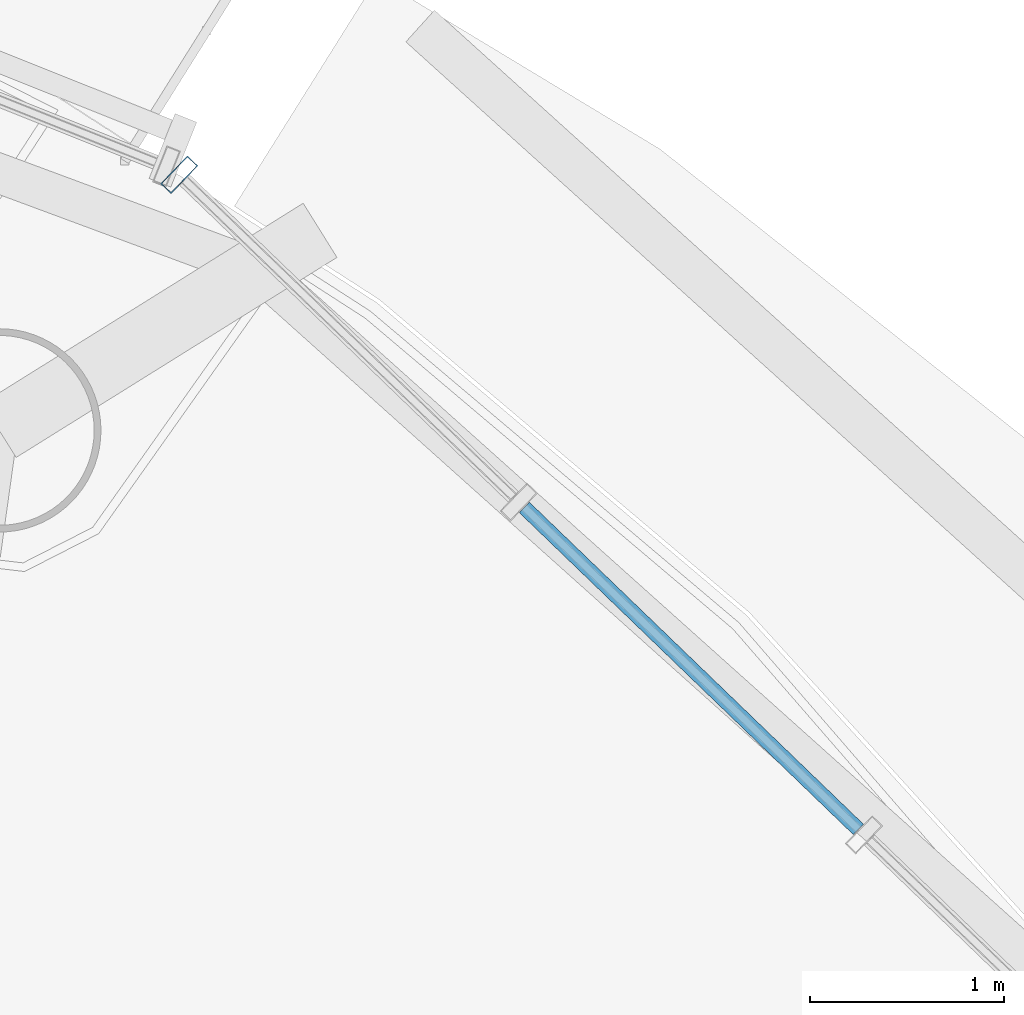
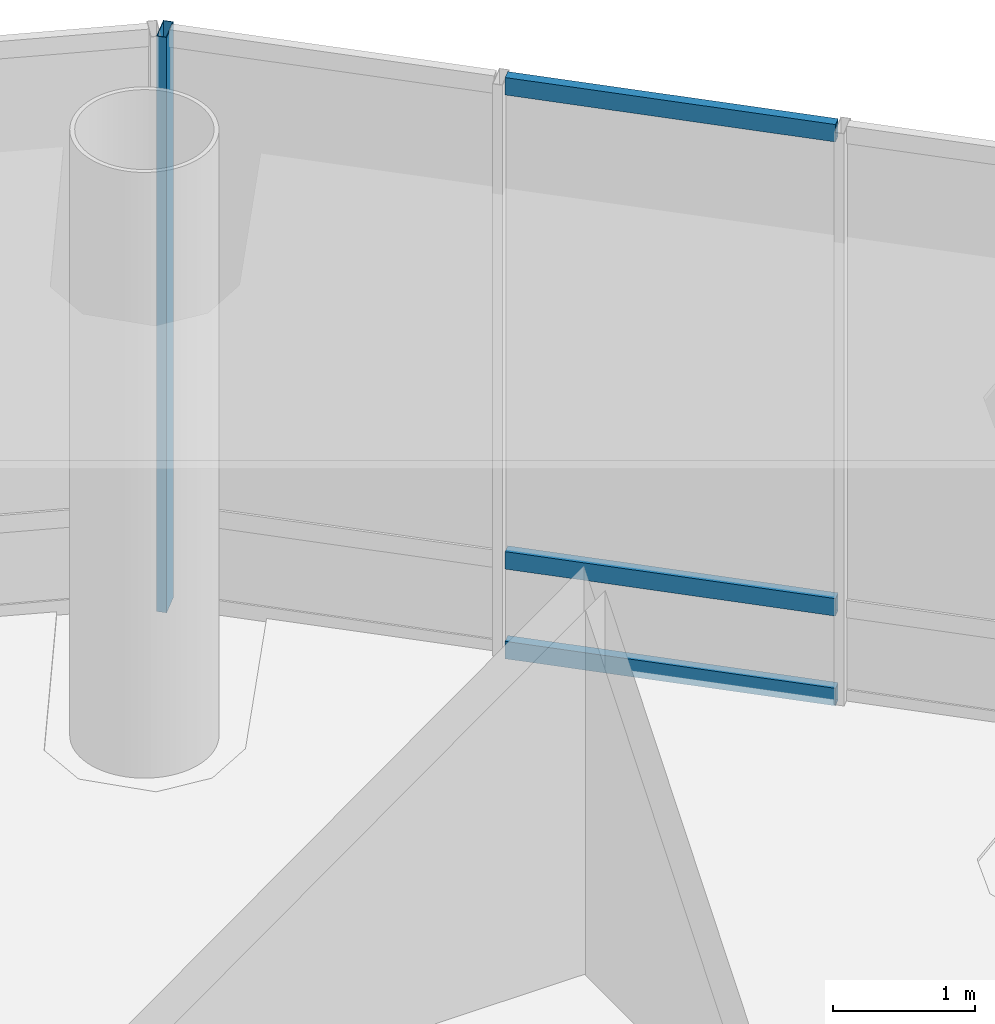
# One storey, part 13 of 22: 4 members, 1 element without a shape of its own.
"""IFC4 building model written with IfcOpenShell, lengths in metres."""

from ifc_helpers import new_model, si_unit, direction, frame, origin, origin_2d, place, context, subcontext, project, spatial, hollow_rectangle, extrude, source, transform, mapped, material, material_profile, profile_set, type_object, element, aggregate, save


model = new_model("IFC4")

# Units and contexts
model_context = context("Model", 3, precision=1e-05, world=origin(), true_north=direction((-0.2419218956, 0.970295726276)))
body_context = subcontext(model_context, "Body", "Model", "MODEL_VIEW")
ifc_project = project(units=[si_unit("LENGTHUNIT", "METRE"), si_unit("AREAUNIT", "SQUARE_METRE"), si_unit("VOLUMEUNIT", "CUBIC_METRE"), si_unit("PLANEANGLEUNIT", "RADIAN"), si_unit("MASSUNIT", "GRAM", prefix="KILO")], contexts=[model_context])

# Site, building, storey
site_placement = place(None, origin())
site = spatial("IfcSite", under=ifc_project, at=site_placement, CompositionType="ELEMENT")
building_placement = place(site_placement, origin())
building = spatial("IfcBuilding", under=site, at=building_placement, Name="Cobrevalo Terracotta Tower", CompositionType="ELEMENT")
storey_placement = place(building_placement, frame((0.0, 0.0, 243.0)))
storey = spatial("IfcBuildingStorey", under=building, at=storey_placement, Name="L64", CompositionType="ELEMENT", Elevation=243.0)

# Curtain wall, members
ifc_material = material(Name="Anodized aluminium", Category="aluminium")
curtain_wall_type = type_object("IfcCurtainWallType", Name="Double-height sky-lobby panoramic curtain wall CW-SK", PredefinedType="NOTDEFINED", material=ifc_material)
curtain_wall_placement = place(storey_placement, origin())
curtain_wall = element("IfcCurtainWall", 1, at=curtain_wall_placement, inside=storey, type_object=curtain_wall_type, Name="L64 curtain wall CW-SK-L64-S02", PredefinedType="NOTDEFINED")
ifc_material_profile_1 = material_profile(ifc_material, hollow_rectangle(XDim=0.074951171875, YDim=0.199951171875, WallThickness=0.0048828125, at=origin_2d()), Name="CWM 75x200")
ifc_profile_set_1 = profile_set([ifc_material_profile_1], Name="Anodized aluminium")
member_type_1 = type_object("IfcMemberType", Name="Lower/mid tower unitised mullion 75x200", PredefinedType="MULLION", material=ifc_profile_set_1)
shared_shape_1 = source(origin(), body_context, "Body", "SweptSolid", [
    extrude(hollow_rectangle(XDim=0.074951171875, YDim=0.199951171875, WallThickness=0.0048828125, at=origin_2d()), origin(), (0.0, 0.0, 1.0), 4.93994140625),
])
member_1_placement = place(storey_placement, frame((48.790283203125, 42.2958984375, 0.0), z_axis=(0.0, 0.0, 1.0), x_axis=(-0.71999418085, 0.69398010025, 0.0)))
member_1 = element("IfcMember", 2, at=member_1_placement, type_object=member_type_1, Name="CW-SK-L64-S02 vertical mullion 04", PredefinedType="MULLION", context=body_context, shape_type="MappedRepresentation", body=[
    mapped(shared_shape_1, transform((0.0, 0.0, 0.0), scale=1.0)),
])
ifc_material_profile_2 = material_profile(ifc_material, hollow_rectangle(XDim=0.074951171875, YDim=0.14990234375, WallThickness=0.00439453125, at=origin_2d()), Name="CWT 75x150")
ifc_profile_set_2 = profile_set([ifc_material_profile_2], Name="Anodized aluminium")
member_type_2 = type_object("IfcMemberType", Name="Tower unitised aluminium transom 75x150", PredefinedType="USERDEFINED", material=ifc_profile_set_2)
shared_shape_2 = source(origin(), body_context, "Body", "SweptSolid", [
    extrude(hollow_rectangle(XDim=0.074951171875, YDim=0.14990234375, WallThickness=0.00439453125, at=origin_2d()), origin(), (0.0, 0.0, 1.0), 2.394287109375),
])
member_2_placement = place(storey_placement, frame((52.29541015625, 38.917236328125, 0.050048828125), z_axis=(-0.719988031024, 0.693986480548, 0.0), x_axis=(-0.693986480548, -0.719988031024, 0.0)))
member_2 = element("IfcMember", 3, at=member_2_placement, type_object=member_type_2, Name="CW-SK-L64-S02 transom B02-T1", ObjectType="TRANSOM", PredefinedType="USERDEFINED", context=body_context, shape_type="MappedRepresentation", body=[
    mapped(shared_shape_2, transform((0.0, 0.0, 0.0), scale=1.0)),
])
member_3_placement = place(storey_placement, frame((52.29541015625, 38.917236328125, 0.820068359375), z_axis=(-0.719988031024, 0.693986480548, 0.0), x_axis=(-0.693986480548, -0.719988031024, 0.0)))
member_3 = element("IfcMember", 4, at=member_3_placement, type_object=member_type_2, Name="CW-SK-L64-S02 transom B02-T2", ObjectType="TRANSOM", PredefinedType="USERDEFINED", context=body_context, shape_type="MappedRepresentation", body=[
    mapped(shared_shape_2, transform((0.0, 0.0, 0.0), scale=1.0)),
])
member_4_placement = place(storey_placement, frame((52.29541015625, 38.917236328125, 4.889892578125), z_axis=(-0.719988031024, 0.693986480548, 0.0), x_axis=(-0.693986480548, -0.719988031024, 0.0)))
member_4 = element("IfcMember", 5, at=member_4_placement, type_object=member_type_2, Name="CW-SK-L64-S02 transom B02-T3", ObjectType="TRANSOM", PredefinedType="USERDEFINED", context=body_context, shape_type="MappedRepresentation", body=[
    mapped(shared_shape_2, transform((0.0, 0.0, 0.0), scale=1.0)),
])
aggregate(curtain_wall, [member_1, member_2, member_3, member_4])

save(model, "model.ifc")
